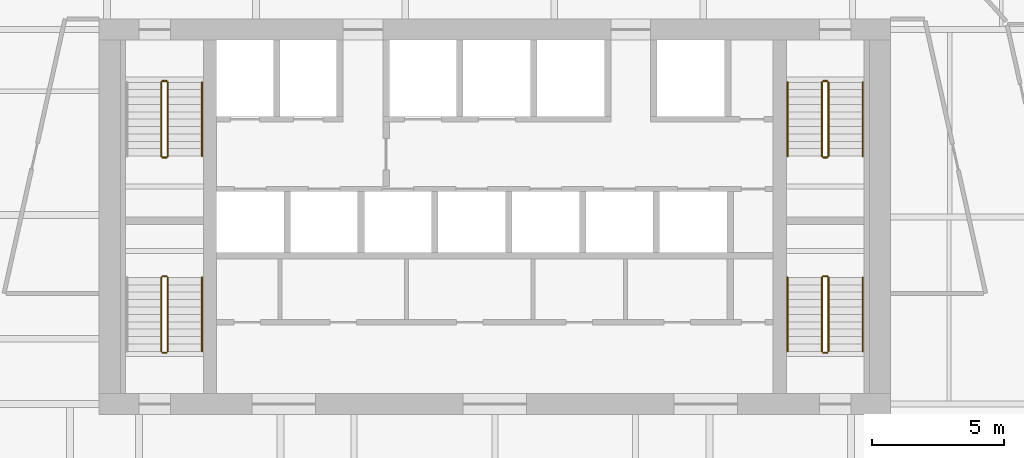
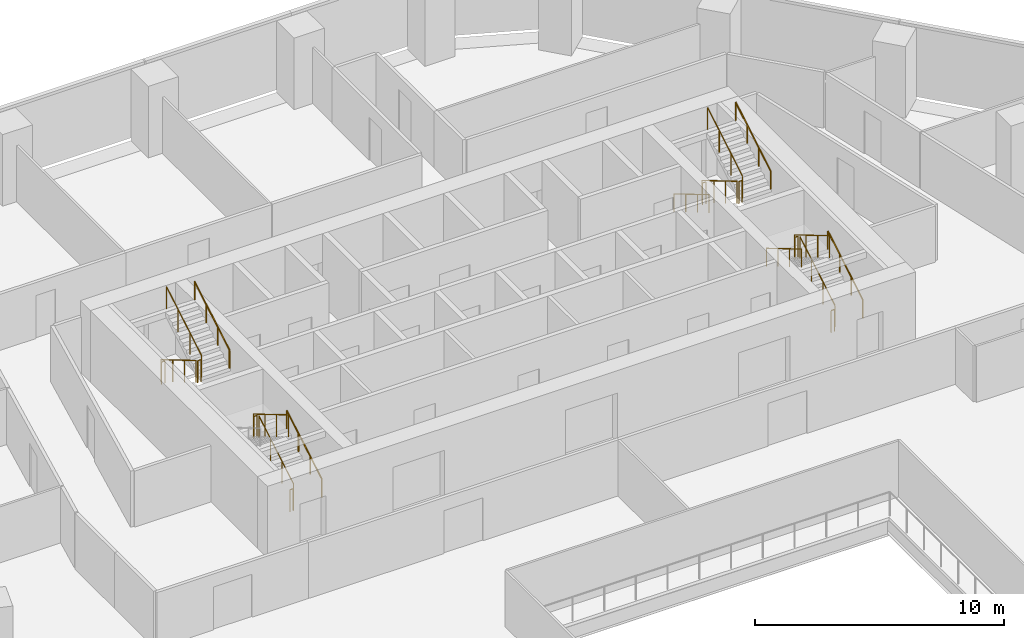
# One storey, part 15 of 16: 22 railings.
"""IFC4 building model written with IfcOpenShell, lengths in metres."""

import ifcopenshell
import ifcopenshell.guid

model = None  # the IFC model being written
_history = None  # IfcOwnerHistory: only IFC2X3 demands one
_inside = {}  # id of a spatial element -> (the spatial element, [elements in it])
_under = {}  # id of a project, library or spatial element -> (it, [spatial elements below it])
_declared = {}  # id of a project -> (the project, [libraries it declares])
_typed = {}  # id of a type object -> (the type object, [elements of that type])
_made_of = {}  # id of a material, layer set ... -> (it, [elements and type objects made of it])


def new_model(schema):
    """Start an empty IFC model of exactly this schema.

    Asked for "IFC4X3", IfcOpenShell would pick the latest addendum, in which some entities
    have other attributes; the version numbers below select the first issue.
    IFC2X3 requires an IfcOwnerHistory on every rooted entity: one is made here for all.
    """
    global model, _history
    if schema == "IFC4X3":
        model = ifcopenshell.file(schema_version=(4, 3, 0, 0))
    else:
        model = ifcopenshell.file(schema=schema)
    _inside.clear()
    _under.clear()
    _declared.clear()
    _typed.clear()
    _made_of.clear()
    _history = None
    if model.schema == "IFC2X3":
        org = make("IfcOrganization", Name="unknown")
        user = make(
            "IfcPersonAndOrganization",
            ThePerson=make("IfcPerson", FamilyName="unknown"),
            TheOrganization=org,
        )
        app = make(
            "IfcApplication",
            ApplicationDeveloper=org,
            Version="unknown",
            ApplicationFullName="unknown",
            ApplicationIdentifier="unknown",
        )
        _history = make(
            "IfcOwnerHistory",
            OwningUser=user,
            OwningApplication=app,
            ChangeAction="ADDED",
            CreationDate=0,
        )
    return model


def make(cls, **values):
    """One entity of the class cls with the attributes given. An attribute that is None is left unset."""
    return model.create_entity(
        cls, **{name: value for name, value in values.items() if value is not None}
    )


def rooted(cls, **values):
    """An entity with a GlobalId (a new one), such as an element, a storey or a relation."""
    return make(cls, GlobalId=ifcopenshell.guid.new(), OwnerHistory=_history, **values)


def si_unit(unit_type, name, prefix=None):
    """IfcSIUnit, for example si_unit("LENGTHUNIT", "METRE", prefix="MILLI")."""
    return make("IfcSIUnit", UnitType=unit_type, Prefix=prefix, Name=name)


def assignment(units):
    """IfcUnitAssignment: the units of a project."""
    return None if units is None else make("IfcUnitAssignment", Units=units)


def point(xyz):
    """IfcCartesianPoint."""
    return None if xyz is None else make("IfcCartesianPoint", Coordinates=xyz)


def direction(xyz):
    """IfcDirection."""
    return None if xyz is None else make("IfcDirection", DirectionRatios=xyz)


def frame(location, z_axis=None, x_axis=None):
    """IfcAxis2Placement3D, a coordinate frame: its origin and axes. An axis left out is left unset."""
    return make(
        "IfcAxis2Placement3D",
        Location=point(location),
        Axis=direction(z_axis),
        RefDirection=direction(x_axis),
    )


def frame_2d(location, x_axis=None):
    """IfcAxis2Placement2D, a coordinate frame in the plane: its origin and x axis."""
    return make(
        "IfcAxis2Placement2D", Location=point(location), RefDirection=direction(x_axis)
    )


def origin():
    """The frame at (0, 0, 0) with its axes left unset."""
    return frame((0.0, 0.0, 0.0))


def origin_2d():
    """The frame at (0, 0) in the plane with its x axis left unset."""
    return frame_2d((0.0, 0.0))


def place(relative_to, where):
    """IfcLocalPlacement: puts the frame where relative to a parent placement (None: the world)."""
    return make(
        "IfcLocalPlacement", PlacementRelTo=relative_to, RelativePlacement=where
    )


def context(
    kind, dimensions, precision=None, world=None, true_north=None, identifier=None
):
    """IfcGeometricRepresentationContext, for example the 3D "Model" context."""
    return make(
        "IfcGeometricRepresentationContext",
        ContextIdentifier=identifier,
        ContextType=kind,
        CoordinateSpaceDimension=dimensions,
        Precision=precision,
        WorldCoordinateSystem=world,
        TrueNorth=true_north,
    )


def subcontext(parent, identifier, kind, view, scale=None):
    """IfcGeometricRepresentationSubContext, for example "Body" below "Model"."""
    return make(
        "IfcGeometricRepresentationSubContext",
        ContextIdentifier=identifier,
        ContextType=kind,
        ParentContext=parent,
        TargetScale=scale,
        TargetView=view,
    )


def project(units=None, contexts=None):
    """IfcProject with its units and contexts."""
    return rooted(
        "IfcProject",
        Name="project",
        RepresentationContexts=contexts,
        UnitsInContext=assignment(units),
    )


def spatial(cls, under=None, at=None, **own):
    """A site, building, storey or space (cls), placed at a placement, below another one or the project."""
    s = rooted(cls, ObjectPlacement=at, **own)
    if under is not None:
        _under.setdefault(under.id(), (under, []))[1].append(s)
    return s


def profile(cls, at=None, kind="AREA", **sizes):
    """A parametric profile (cls). Its sizes go by their IFC names, for example OverallWidth=200.0."""
    return make(cls, ProfileType=kind, Position=at, **sizes)


def circle(**sizes):
    """IfcCircleProfileDef."""
    return profile("IfcCircleProfileDef", **sizes)


def extrude(swept, where, along, depth):
    """IfcExtrudedAreaSolid: the profile swept, set in the frame where, extruded along a direction by depth."""
    return make(
        "IfcExtrudedAreaSolid",
        SweptArea=swept,
        Position=where,
        ExtrudedDirection=direction(along),
        Depth=depth,
    )


def shape(context_of_items, identifier, shape_type, items):
    """IfcShapeRepresentation: the items that make up one representation, for example the "Body"."""
    return make(
        "IfcShapeRepresentation",
        ContextOfItems=context_of_items,
        RepresentationIdentifier=identifier,
        RepresentationType=shape_type,
        Items=items,
    )


def material(Name=None, Category=None):
    """IfcMaterial."""
    return make("IfcMaterial", Name=Name, Category=Category)


def made_of(thing, what):
    """Note that an element or type object is made of a material, layer set ...; save() writes the relation."""
    if what is not None:
        _made_of.setdefault(what.id(), (what, []))[1].append(thing)
    return thing


def type_object(cls, material=None, **own):
    """A type object (cls), such as IfcWallType, which elements share."""
    return made_of(rooted(cls, **own), material)


def element(
    cls,
    number,
    at=None,
    inside=None,
    cuts=None,
    type_object=None,
    material=None,
    context=None,
    identifier="Body",
    shape_type=None,
    held_by="IfcProductDefinitionShape",
    body=None,
    shapes=None,
    **own,
):
    """One element of the class cls, such as IfcWall. Its Tag is "e" and its number.

    at: its placement. inside: the storey or other place that contains it. cuts: it is an
    opening in that element (IfcRelVoidsElement). A single representation is given by context,
    identifier, shape_type and body (its items); several are given by shapes. held_by: the class
    of the entity that holds the representations. save() writes the other relations.
    """
    e = rooted(cls, Tag="e%d" % number, ObjectPlacement=at, **own)
    if body is not None:
        shapes = [shape(context, identifier, shape_type, body)]
    if shapes is not None:
        e.Representation = make(held_by, Representations=shapes)
    if inside is not None:
        _inside.setdefault(inside.id(), (inside, []))[1].append(e)
    if cuts is not None:
        rooted(
            "IfcRelVoidsElement", RelatingBuildingElement=cuts, RelatedOpeningElement=e
        )
    if type_object is not None:
        _typed.setdefault(type_object.id(), (type_object, []))[1].append(e)
    return made_of(e, material)


def aggregate(whole, parts):
    """IfcRelAggregates: a whole, such as a stair, and the parts it consists of."""
    return rooted("IfcRelAggregates", RelatingObject=whole, RelatedObjects=parts)


def save(model, path):
    """Write the relations noted so far, then the file.

    IfcRelAggregates (storeys below a building ...), IfcRelContainedInSpatialStructure (elements
    in a storey), IfcRelDefinesByType, IfcRelAssociatesMaterial and IfcRelDeclares: one each for
    every whole, place, type object, material and project.
    """
    for whole, parts in _under.values():
        aggregate(whole, parts)
    for where, things in _inside.values():
        rooted(
            "IfcRelContainedInSpatialStructure",
            RelatedElements=things,
            RelatingStructure=where,
        )
    for kind, things in _typed.values():
        rooted("IfcRelDefinesByType", RelatedObjects=things, RelatingType=kind)
    for what, things in _made_of.values():
        rooted("IfcRelAssociatesMaterial", RelatedObjects=things, RelatingMaterial=what)
    for by, libraries in _declared.values():
        rooted("IfcRelDeclares", RelatingContext=by, RelatedDefinitions=libraries)
    model.write(path)


model = new_model("IFC4")

# Units and contexts
model_context = context("Model", 3, precision=1e-05, world=origin(), true_north=direction((0.0, 1.0)))
body_context = subcontext(model_context, "Body", "Model", "MODEL_VIEW")
ifc_project = project(units=[si_unit("LENGTHUNIT", "METRE"), si_unit("AREAUNIT", "SQUARE_METRE"), si_unit("VOLUMEUNIT", "CUBIC_METRE"), si_unit("PLANEANGLEUNIT", "RADIAN"), si_unit("MASSUNIT", "GRAM", prefix="KILO")], contexts=[model_context])

# Site, building, storey
site_placement = place(None, origin())
site = spatial("IfcSite", under=ifc_project, at=site_placement, CompositionType="ELEMENT")
building_placement = place(site_placement, origin())
building = spatial("IfcBuilding", under=site, at=building_placement, Name="Isthmus Gate Tower", CompositionType="ELEMENT")
storey_placement = place(building_placement, frame((0.0, 0.0, 137.10009765625)))
storey = spatial("IfcBuildingStorey", under=building, at=storey_placement, Name="L33", CompositionType="ELEMENT", Elevation=137.10009765625)

# Railings
ifc_material_1 = material(Name="Stainless steel balustrade", Category="steel")
railing_type_1 = type_object("IfcRailingType", Name="STAIR GUARD 1100", PredefinedType="GUARDRAIL", material=ifc_material_1)
railing_1_placement = place(storey_placement, frame((-12.64990234375, 12.60009765625, 0.165771484375)))
element("IfcRailing", 1, at=railing_1_placement, inside=storey, type_object=railing_type_1, Name="L33 ST1 stair guard 1", PredefinedType="GUARDRAIL", context=body_context, shape_type="SweptSolid", body=[
    extrude(circle(Radius=0.02392578125, at=origin_2d()), frame((0.0, 0.0, 1.076171875), z_axis=(0.0, -0.860306154799, 0.50977771628), x_axis=(1.0, 0.0, 0.0)), (0.0, 0.0, 1.0), 3.254638671875),
    extrude(circle(Radius=0.02099609375, at=origin_2d()), origin(), (0.0, 0.0, 1.0), 1.052001953125),
    extrude(circle(Radius=0.02099609375, at=origin_2d()), frame((0.0, -0.933349609375, 0.552978515625)), (0.0, 0.0, 1.0), 1.052001953125),
    extrude(circle(Radius=0.02099609375, at=origin_2d()), frame((0.0, -1.86669921875, 1.106201171875)), (0.0, 0.0, 1.0), 1.052001953125),
    extrude(circle(Radius=0.02099609375, at=origin_2d()), frame((0.0, -2.800048828125, 1.6591796875)), (0.0, 0.0, 1.0), 1.052001953125),
])
railing_2_placement = place(storey_placement, frame((-12.60009765625, 9.75, 1.824951171875)))
element("IfcRailing", 2, at=railing_2_placement, inside=storey, type_object=railing_type_1, Name="L33 ST1 stair guard 2", PredefinedType="GUARDRAIL", context=body_context, shape_type="SweptSolid", body=[
    extrude(circle(Radius=0.02392578125, at=origin_2d()), frame((0.0, 0.0, 1.076171875), z_axis=(1.0, 0.0, 0.0), x_axis=(0.0, 1.0, 0.0)), (0.0, 0.0, 1.0), 0.150146484375),
    extrude(circle(Radius=0.02099609375, at=origin_2d()), origin(), (0.0, 0.0, 1.0), 1.052001953125),
    extrude(circle(Radius=0.02099609375, at=origin_2d()), frame((0.150146484375, 0.0, 0.0)), (0.0, 0.0, 1.0), 1.052001953125),
])
railing_3_placement = place(storey_placement, frame((-12.39990234375, 9.800048828125, 1.99072265625)))
element("IfcRailing", 3, at=railing_3_placement, inside=storey, type_object=railing_type_1, Name="L33 ST1 stair guard 3", PredefinedType="GUARDRAIL", context=body_context, shape_type="SweptSolid", body=[
    extrude(circle(Radius=0.02392578125, at=origin_2d()), frame((0.0, 0.0, 1.076171875), z_axis=(0.0, 0.860306154799, 0.50977771628), x_axis=(-1.0, 0.0, 0.0)), (0.0, 0.0, 1.0), 3.254638671875),
    extrude(circle(Radius=0.02099609375, at=origin_2d()), origin(), (0.0, 0.0, 1.0), 1.052001953125),
    extrude(circle(Radius=0.02099609375, at=origin_2d()), frame((0.0, 0.933349609375, 0.552978515625)), (0.0, 0.0, 1.0), 1.052001953125),
    extrude(circle(Radius=0.02099609375, at=origin_2d()), frame((0.0, 1.86669921875, 1.106201171875)), (0.0, 0.0, 1.0), 1.052001953125),
    extrude(circle(Radius=0.02099609375, at=origin_2d()), frame((0.0, 2.800048828125, 1.6591796875)), (0.0, 0.0, 1.0), 1.052001953125),
])
railing_4_placement = place(storey_placement, frame((-12.60009765625, 12.64990234375, 0.0)))
element("IfcRailing", 4, at=railing_4_placement, inside=storey, type_object=railing_type_1, Name="L33 ST1 stair guard 4", PredefinedType="GUARDRAIL", context=body_context, shape_type="SweptSolid", body=[
    extrude(circle(Radius=0.02392578125, at=origin_2d()), frame((0.0, 0.0, 1.076171875), z_axis=(1.0, 0.0, 0.0), x_axis=(0.0, 1.0, 0.0)), (0.0, 0.0, 1.0), 0.150146484375),
    extrude(circle(Radius=0.02099609375, at=origin_2d()), origin(), (0.0, 0.0, 1.0), 1.052001953125),
    extrude(circle(Radius=0.02099609375, at=origin_2d()), frame((0.150146484375, 0.0, 0.0)), (0.0, 0.0, 1.0), 1.052001953125),
])
railing_5_placement = place(storey_placement, frame((12.39990234375, 12.60009765625, 0.165771484375)))
element("IfcRailing", 5, at=railing_5_placement, inside=storey, type_object=railing_type_1, Name="L33 ST2 stair guard 1", PredefinedType="GUARDRAIL", context=body_context, shape_type="SweptSolid", body=[
    extrude(circle(Radius=0.02392578125, at=origin_2d()), frame((0.0, 0.0, 1.076171875), z_axis=(0.0, -0.860306154799, 0.50977771628), x_axis=(1.0, 0.0, 0.0)), (0.0, 0.0, 1.0), 3.254638671875),
    extrude(circle(Radius=0.02099609375, at=origin_2d()), origin(), (0.0, 0.0, 1.0), 1.052001953125),
    extrude(circle(Radius=0.02099609375, at=origin_2d()), frame((0.0, -0.933349609375, 0.552978515625)), (0.0, 0.0, 1.0), 1.052001953125),
    extrude(circle(Radius=0.02099609375, at=origin_2d()), frame((0.0, -1.86669921875, 1.106201171875)), (0.0, 0.0, 1.0), 1.052001953125),
    extrude(circle(Radius=0.02099609375, at=origin_2d()), frame((0.0, -2.800048828125, 1.6591796875)), (0.0, 0.0, 1.0), 1.052001953125),
])
railing_6_placement = place(storey_placement, frame((12.449951171875, 9.75, 1.824951171875)))
element("IfcRailing", 6, at=railing_6_placement, inside=storey, type_object=railing_type_1, Name="L33 ST2 stair guard 2", PredefinedType="GUARDRAIL", context=body_context, shape_type="SweptSolid", body=[
    extrude(circle(Radius=0.02392578125, at=origin_2d()), frame((0.0, 0.0, 1.076171875), z_axis=(1.0, 0.0, 0.0), x_axis=(0.0, 1.0, 0.0)), (0.0, 0.0, 1.0), 0.150146484375),
    extrude(circle(Radius=0.02099609375, at=origin_2d()), origin(), (0.0, 0.0, 1.0), 1.052001953125),
    extrude(circle(Radius=0.02099609375, at=origin_2d()), frame((0.150146484375, 0.0, 0.0)), (0.0, 0.0, 1.0), 1.052001953125),
])
railing_7_placement = place(storey_placement, frame((12.64990234375, 9.800048828125, 1.99072265625)))
element("IfcRailing", 7, at=railing_7_placement, inside=storey, type_object=railing_type_1, Name="L33 ST2 stair guard 3", PredefinedType="GUARDRAIL", context=body_context, shape_type="SweptSolid", body=[
    extrude(circle(Radius=0.02392578125, at=origin_2d()), frame((0.0, 0.0, 1.076171875), z_axis=(0.0, 0.860306154799, 0.50977771628), x_axis=(-1.0, 0.0, 0.0)), (0.0, 0.0, 1.0), 3.254638671875),
    extrude(circle(Radius=0.02099609375, at=origin_2d()), origin(), (0.0, 0.0, 1.0), 1.052001953125),
    extrude(circle(Radius=0.02099609375, at=origin_2d()), frame((0.0, 0.933349609375, 0.552978515625)), (0.0, 0.0, 1.0), 1.052001953125),
    extrude(circle(Radius=0.02099609375, at=origin_2d()), frame((0.0, 1.86669921875, 1.106201171875)), (0.0, 0.0, 1.0), 1.052001953125),
    extrude(circle(Radius=0.02099609375, at=origin_2d()), frame((0.0, 2.800048828125, 1.6591796875)), (0.0, 0.0, 1.0), 1.052001953125),
])
railing_8_placement = place(storey_placement, frame((12.449951171875, 12.64990234375, 0.0)))
element("IfcRailing", 8, at=railing_8_placement, inside=storey, type_object=railing_type_1, Name="L33 ST2 stair guard 4", PredefinedType="GUARDRAIL", context=body_context, shape_type="SweptSolid", body=[
    extrude(circle(Radius=0.02392578125, at=origin_2d()), frame((0.0, 0.0, 1.076171875), z_axis=(1.0, 0.0, 0.0), x_axis=(0.0, 1.0, 0.0)), (0.0, 0.0, 1.0), 0.150146484375),
    extrude(circle(Radius=0.02099609375, at=origin_2d()), origin(), (0.0, 0.0, 1.0), 1.052001953125),
    extrude(circle(Radius=0.02099609375, at=origin_2d()), frame((0.150146484375, 0.0, 0.0)), (0.0, 0.0, 1.0), 1.052001953125),
])
railing_9_placement = place(storey_placement, frame((-12.39990234375, 2.39990234375, 0.165771484375)))
element("IfcRailing", 9, at=railing_9_placement, inside=storey, type_object=railing_type_1, Name="L33 ST7 stair guard 1", PredefinedType="GUARDRAIL", context=body_context, shape_type="SweptSolid", body=[
    extrude(circle(Radius=0.02392578125, at=origin_2d()), frame((0.0, 0.0, 1.076171875), z_axis=(0.0, 0.860306154799, 0.50977771628), x_axis=(-1.0, 0.0, 0.0)), (0.0, 0.0, 1.0), 3.254638671875),
    extrude(circle(Radius=0.02099609375, at=origin_2d()), origin(), (0.0, 0.0, 1.0), 1.052001953125),
    extrude(circle(Radius=0.02099609375, at=origin_2d()), frame((0.0, 0.933349609375, 0.552978515625)), (0.0, 0.0, 1.0), 1.052001953125),
    extrude(circle(Radius=0.02099609375, at=origin_2d()), frame((0.0, 1.86669921875, 1.106201171875)), (0.0, 0.0, 1.0), 1.052001953125),
    extrude(circle(Radius=0.02099609375, at=origin_2d()), frame((0.0, 2.800048828125, 1.6591796875)), (0.0, 0.0, 1.0), 1.052001953125),
])
railing_10_placement = place(storey_placement, frame((-12.449951171875, 5.25, 1.824951171875)))
element("IfcRailing", 10, at=railing_10_placement, inside=storey, type_object=railing_type_1, Name="L33 ST7 stair guard 2", PredefinedType="GUARDRAIL", context=body_context, shape_type="SweptSolid", body=[
    extrude(circle(Radius=0.02392578125, at=origin_2d()), frame((0.0, 0.0, 1.076171875), z_axis=(-1.0, 0.0, 0.0), x_axis=(0.0, -1.0, 0.0)), (0.0, 0.0, 1.0), 0.150146484375),
    extrude(circle(Radius=0.02099609375, at=origin_2d()), origin(), (0.0, 0.0, 1.0), 1.052001953125),
    extrude(circle(Radius=0.02099609375, at=origin_2d()), frame((-0.150146484375, 0.0, 0.0)), (0.0, 0.0, 1.0), 1.052001953125),
])
railing_11_placement = place(storey_placement, frame((-12.64990234375, 5.199951171875, 1.99072265625)))
element("IfcRailing", 11, at=railing_11_placement, inside=storey, type_object=railing_type_1, Name="L33 ST7 stair guard 3", PredefinedType="GUARDRAIL", context=body_context, shape_type="SweptSolid", body=[
    extrude(circle(Radius=0.02392578125, at=origin_2d()), frame((0.0, 0.0, 1.076171875), z_axis=(0.0, -0.860306154799, 0.50977771628), x_axis=(1.0, 0.0, 0.0)), (0.0, 0.0, 1.0), 3.254638671875),
    extrude(circle(Radius=0.02099609375, at=origin_2d()), origin(), (0.0, 0.0, 1.0), 1.052001953125),
    extrude(circle(Radius=0.02099609375, at=origin_2d()), frame((0.0, -0.933349609375, 0.552978515625)), (0.0, 0.0, 1.0), 1.052001953125),
    extrude(circle(Radius=0.02099609375, at=origin_2d()), frame((0.0, -1.86669921875, 1.106201171875)), (0.0, 0.0, 1.0), 1.052001953125),
    extrude(circle(Radius=0.02099609375, at=origin_2d()), frame((0.0, -2.800048828125, 1.6591796875)), (0.0, 0.0, 1.0), 1.052001953125),
])
railing_12_placement = place(storey_placement, frame((-12.449951171875, 2.35009765625, 0.0)))
element("IfcRailing", 12, at=railing_12_placement, inside=storey, type_object=railing_type_1, Name="L33 ST7 stair guard 4", PredefinedType="GUARDRAIL", context=body_context, shape_type="SweptSolid", body=[
    extrude(circle(Radius=0.02392578125, at=origin_2d()), frame((0.0, 0.0, 1.076171875), z_axis=(-1.0, 0.0, 0.0), x_axis=(0.0, -1.0, 0.0)), (0.0, 0.0, 1.0), 0.150146484375),
    extrude(circle(Radius=0.02099609375, at=origin_2d()), origin(), (0.0, 0.0, 1.0), 1.052001953125),
    extrude(circle(Radius=0.02099609375, at=origin_2d()), frame((-0.150146484375, 0.0, 0.0)), (0.0, 0.0, 1.0), 1.052001953125),
])
railing_13_placement = place(storey_placement, frame((12.64990234375, 2.39990234375, 0.165771484375)))
element("IfcRailing", 13, at=railing_13_placement, inside=storey, type_object=railing_type_1, Name="L33 ST8 stair guard 1", PredefinedType="GUARDRAIL", context=body_context, shape_type="SweptSolid", body=[
    extrude(circle(Radius=0.02392578125, at=origin_2d()), frame((0.0, 0.0, 1.076171875), z_axis=(0.0, 0.860306154799, 0.50977771628), x_axis=(-1.0, 0.0, 0.0)), (0.0, 0.0, 1.0), 3.254638671875),
    extrude(circle(Radius=0.02099609375, at=origin_2d()), origin(), (0.0, 0.0, 1.0), 1.052001953125),
    extrude(circle(Radius=0.02099609375, at=origin_2d()), frame((0.0, 0.933349609375, 0.552978515625)), (0.0, 0.0, 1.0), 1.052001953125),
    extrude(circle(Radius=0.02099609375, at=origin_2d()), frame((0.0, 1.86669921875, 1.106201171875)), (0.0, 0.0, 1.0), 1.052001953125),
    extrude(circle(Radius=0.02099609375, at=origin_2d()), frame((0.0, 2.800048828125, 1.6591796875)), (0.0, 0.0, 1.0), 1.052001953125),
])
railing_14_placement = place(storey_placement, frame((12.60009765625, 5.25, 1.824951171875)))
element("IfcRailing", 14, at=railing_14_placement, inside=storey, type_object=railing_type_1, Name="L33 ST8 stair guard 2", PredefinedType="GUARDRAIL", context=body_context, shape_type="SweptSolid", body=[
    extrude(circle(Radius=0.02392578125, at=origin_2d()), frame((0.0, 0.0, 1.076171875), z_axis=(-1.0, 0.0, 0.0), x_axis=(0.0, -1.0, 0.0)), (0.0, 0.0, 1.0), 0.150146484375),
    extrude(circle(Radius=0.02099609375, at=origin_2d()), origin(), (0.0, 0.0, 1.0), 1.052001953125),
    extrude(circle(Radius=0.02099609375, at=origin_2d()), frame((-0.150146484375, 0.0, 0.0)), (0.0, 0.0, 1.0), 1.052001953125),
])
railing_15_placement = place(storey_placement, frame((12.39990234375, 5.199951171875, 1.99072265625)))
element("IfcRailing", 15, at=railing_15_placement, inside=storey, type_object=railing_type_1, Name="L33 ST8 stair guard 3", PredefinedType="GUARDRAIL", context=body_context, shape_type="SweptSolid", body=[
    extrude(circle(Radius=0.02392578125, at=origin_2d()), frame((0.0, 0.0, 1.076171875), z_axis=(0.0, -0.860306154799, 0.50977771628), x_axis=(1.0, 0.0, 0.0)), (0.0, 0.0, 1.0), 3.254638671875),
    extrude(circle(Radius=0.02099609375, at=origin_2d()), origin(), (0.0, 0.0, 1.0), 1.052001953125),
    extrude(circle(Radius=0.02099609375, at=origin_2d()), frame((0.0, -0.933349609375, 0.552978515625)), (0.0, 0.0, 1.0), 1.052001953125),
    extrude(circle(Radius=0.02099609375, at=origin_2d()), frame((0.0, -1.86669921875, 1.106201171875)), (0.0, 0.0, 1.0), 1.052001953125),
    extrude(circle(Radius=0.02099609375, at=origin_2d()), frame((0.0, -2.800048828125, 1.6591796875)), (0.0, 0.0, 1.0), 1.052001953125),
])
railing_16_placement = place(storey_placement, frame((12.60009765625, 2.35009765625, 0.0)))
element("IfcRailing", 16, at=railing_16_placement, inside=storey, type_object=railing_type_1, Name="L33 ST8 stair guard 4", PredefinedType="GUARDRAIL", context=body_context, shape_type="SweptSolid", body=[
    extrude(circle(Radius=0.02392578125, at=origin_2d()), frame((0.0, 0.0, 1.076171875), z_axis=(-1.0, 0.0, 0.0), x_axis=(0.0, -1.0, 0.0)), (0.0, 0.0, 1.0), 0.150146484375),
    extrude(circle(Radius=0.02099609375, at=origin_2d()), origin(), (0.0, 0.0, 1.0), 1.052001953125),
    extrude(circle(Radius=0.02099609375, at=origin_2d()), frame((-0.150146484375, 0.0, 0.0)), (0.0, 0.0, 1.0), 1.052001953125),
])
ifc_material_2 = material(Name="Stainless steel handrail", Category="steel")
railing_type_2 = type_object("IfcRailingType", Name="STAIR HANDRAIL 900", PredefinedType="HANDRAIL", material=ifc_material_2)
railing_17_placement = place(storey_placement, frame((-11.10009765625, 9.800048828125, 1.99072265625)))
element("IfcRailing", 17, at=railing_17_placement, inside=storey, type_object=railing_type_2, Name="L33 ST1 stair handrail 2", PredefinedType="HANDRAIL", context=body_context, shape_type="SweptSolid", body=[
    extrude(circle(Radius=0.02392578125, at=origin_2d()), frame((0.0, 0.0, 0.8759765625), z_axis=(0.0, 0.860306154799, 0.50977771628), x_axis=(-1.0, 0.0, 0.0)), (0.0, 0.0, 1.0), 3.254638671875),
    extrude(circle(Radius=0.02099609375, at=origin_2d()), origin(), (0.0, 0.0, 1.0), 0.851806640625),
    extrude(circle(Radius=0.02099609375, at=origin_2d()), frame((0.0, 0.933349609375, 0.552978515625)), (0.0, 0.0, 1.0), 0.851806640625),
    extrude(circle(Radius=0.02099609375, at=origin_2d()), frame((0.0, 1.86669921875, 1.106201171875)), (0.0, 0.0, 1.0), 0.851806640625),
    extrude(circle(Radius=0.02099609375, at=origin_2d()), frame((0.0, 2.800048828125, 1.6591796875)), (0.0, 0.0, 1.0), 0.851806640625),
])
railing_18_placement = place(storey_placement, frame((11.10009765625, 12.60009765625, 0.165771484375)))
element("IfcRailing", 18, at=railing_18_placement, inside=storey, type_object=railing_type_2, Name="L33 ST2 stair handrail 1", PredefinedType="HANDRAIL", context=body_context, shape_type="SweptSolid", body=[
    extrude(circle(Radius=0.02392578125, at=origin_2d()), frame((0.0, 0.0, 0.8759765625), z_axis=(0.0, -0.860306154799, 0.50977771628), x_axis=(1.0, 0.0, 0.0)), (0.0, 0.0, 1.0), 3.254638671875),
    extrude(circle(Radius=0.02099609375, at=origin_2d()), origin(), (0.0, 0.0, 1.0), 0.851806640625),
    extrude(circle(Radius=0.02099609375, at=origin_2d()), frame((0.0, -0.933349609375, 0.552978515625)), (0.0, 0.0, 1.0), 0.851806640625),
    extrude(circle(Radius=0.02099609375, at=origin_2d()), frame((0.0, -1.86669921875, 1.106201171875)), (0.0, 0.0, 1.0), 0.851806640625),
    extrude(circle(Radius=0.02099609375, at=origin_2d()), frame((0.0, -2.800048828125, 1.6591796875)), (0.0, 0.0, 1.0), 0.851806640625),
])
for number, where, name in (
    (19, (13.949951171875, 9.800048828125, 1.99072265625), "L33 ST2 stair handrail 2"),
    (20, (-11.10009765625, 2.39990234375, 0.165771484375), "L33 ST7 stair handrail 1"),
    (21, (13.949951171875, 2.39990234375, 0.165771484375), "L33 ST8 stair handrail 1"),
):
    element("IfcRailing", number, at=place(storey_placement, frame(where)), inside=storey, type_object=railing_type_2, Name=name, PredefinedType="HANDRAIL", context=body_context, shape_type="SweptSolid", body=[
        extrude(circle(Radius=0.02392578125, at=origin_2d()), frame((0.0, 0.0, 0.8759765625), z_axis=(0.0, 0.860306154799, 0.50977771628), x_axis=(-1.0, 0.0, 0.0)), (0.0, 0.0, 1.0), 3.254638671875),
        extrude(circle(Radius=0.02099609375, at=origin_2d()), origin(), (0.0, 0.0, 1.0), 0.851806640625),
        extrude(circle(Radius=0.02099609375, at=origin_2d()), frame((0.0, 0.933349609375, 0.552978515625)), (0.0, 0.0, 1.0), 0.851806640625),
        extrude(circle(Radius=0.02099609375, at=origin_2d()), frame((0.0, 1.86669921875, 1.106201171875)), (0.0, 0.0, 1.0), 0.851806640625),
        extrude(circle(Radius=0.02099609375, at=origin_2d()), frame((0.0, 2.800048828125, 1.6591796875)), (0.0, 0.0, 1.0), 0.851806640625),
    ])
railing_19_placement = place(storey_placement, frame((11.10009765625, 5.199951171875, 1.99072265625)))
element("IfcRailing", 22, at=railing_19_placement, inside=storey, type_object=railing_type_2, Name="L33 ST8 stair handrail 2", PredefinedType="HANDRAIL", context=body_context, shape_type="SweptSolid", body=[
    extrude(circle(Radius=0.02392578125, at=origin_2d()), frame((0.0, 0.0, 0.8759765625), z_axis=(0.0, -0.860306154799, 0.50977771628), x_axis=(1.0, 0.0, 0.0)), (0.0, 0.0, 1.0), 3.254638671875),
    extrude(circle(Radius=0.02099609375, at=origin_2d()), origin(), (0.0, 0.0, 1.0), 0.851806640625),
    extrude(circle(Radius=0.02099609375, at=origin_2d()), frame((0.0, -0.933349609375, 0.552978515625)), (0.0, 0.0, 1.0), 0.851806640625),
    extrude(circle(Radius=0.02099609375, at=origin_2d()), frame((0.0, -1.86669921875, 1.106201171875)), (0.0, 0.0, 1.0), 0.851806640625),
    extrude(circle(Radius=0.02099609375, at=origin_2d()), frame((0.0, -2.800048828125, 1.6591796875)), (0.0, 0.0, 1.0), 0.851806640625),
])

save(model, "model.ifc")
